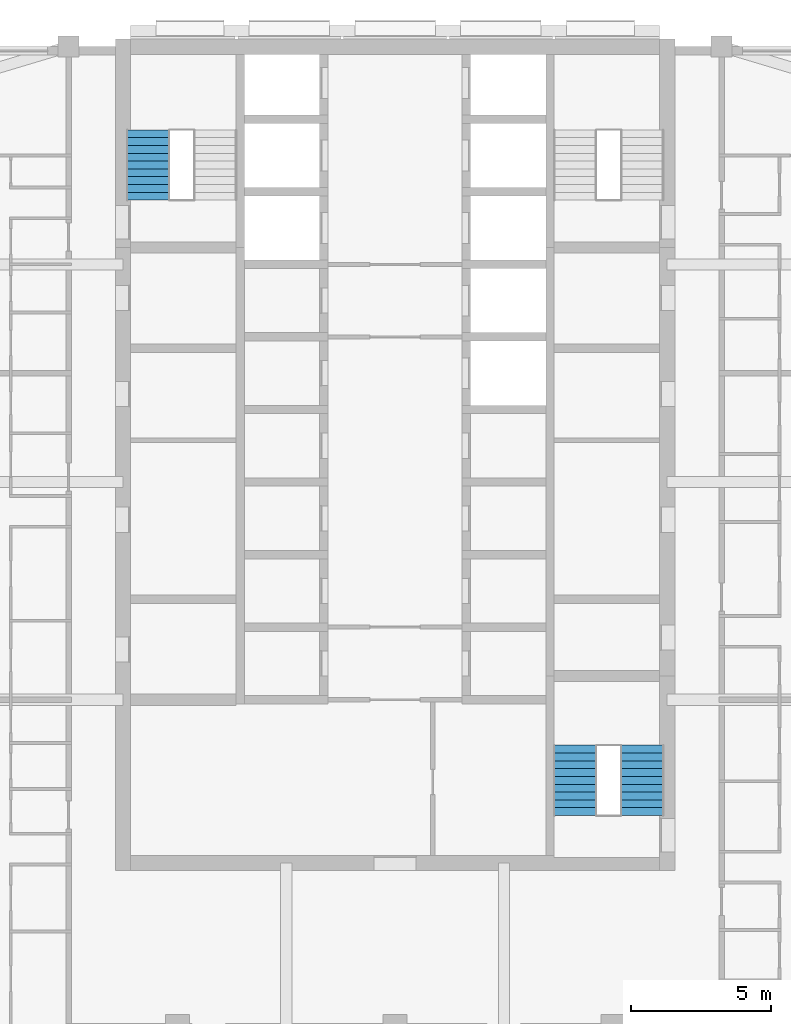
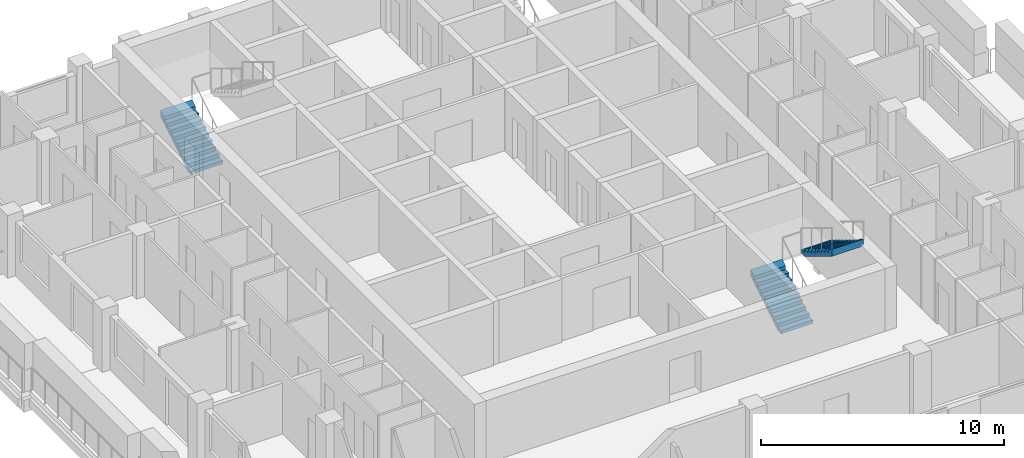
# One storey, part 10 of 13: 3 stair flights, 2 elements without a shape of their own.
"""IFC4 building model written with IfcOpenShell, lengths in metres."""

from ifc_helpers import new_model, si_unit, direction, frame, origin, place, context, subcontext, project, spatial, triangles, material, type_object, element, aggregate, save


model = new_model("IFC4")

# Units and contexts
model_context = context("Model", 3, precision=1e-05, world=origin(), true_north=direction((0.0, 1.0)))
body_context = subcontext(model_context, "Body", "Model", "MODEL_VIEW")
ifc_project = project(units=[si_unit("LENGTHUNIT", "METRE"), si_unit("AREAUNIT", "SQUARE_METRE"), si_unit("VOLUMEUNIT", "CUBIC_METRE"), si_unit("PLANEANGLEUNIT", "RADIAN"), si_unit("MASSUNIT", "GRAM", prefix="KILO")], contexts=[model_context])

# Site, building, storey
site_placement = place(None, origin())
site = spatial("IfcSite", under=ifc_project, at=site_placement, CompositionType="ELEMENT")
building_placement = place(site_placement, origin())
building = spatial("IfcBuilding", under=site, at=building_placement, Name="Ludao Terraces", CompositionType="ELEMENT")
storey_placement = place(building_placement, frame((0.0, 0.0, 162.199951171875)))
storey = spatial("IfcBuildingStorey", under=building, at=storey_placement, Name="L44", CompositionType="ELEMENT", Elevation=162.199951171875)

# Stair, stair flight
ifc_material = material(Name="Concrete C40", Category="concrete")
stair_type = type_object("IfcStairType", Name="INT Stair", PredefinedType="HALF_TURN_STAIR", material=ifc_material)
stair_1_placement = place(storey_placement, origin())
stair_1 = element("IfcStair", 1, at=stair_1_placement, inside=storey, type_object=stair_type, Name="EXIT STAIR 1", PredefinedType="HALF_TURN_STAIR")
stair_flight_type = type_object("IfcStairFlightType", Name="INT Stair flight", PredefinedType="STRAIGHT", material=ifc_material)
stair_flight_1_placement = place(storey_placement, frame((76.14990234375, 79.0, 0.0), z_axis=(0.0, 0.0, 1.0), x_axis=(0.0, 1.0, 0.0)))
stair_flight_1 = element("IfcStairFlight", 2, at=stair_flight_1_placement, type_object=stair_flight_type, Name="ST1 flight 1", NumberOfRisers=10, NumberOfTreads=9, PredefinedType="STRAIGHT", RiserHeight=0.17, TreadLength=0.28, context=body_context, shape_type="Tessellation", body=[
    triangles([(0.0, -0.75, 0.0), (0.0, -0.5, 0.0), (0.0, -0.25, 0.0), (0.0, 0.0, 0.0), (0.0, 0.25, 0.0), (0.0, 0.5, 0.0), (0.0, 0.75, 0.0), (0.0, -0.75, 0.169921875), (0.0, -0.5, 0.169921875), (0.0, -0.25, 0.169921875), (0.0, 0.0, 0.169921875), (0.0, 0.25, 0.169921875), (0.0, 0.5, 0.169921875), (0.0, 0.75, 0.169921875), (0.280029296875, -0.75, 0.169921875), (0.280029296875, -0.5, 0.169921875), (0.280029296875, -0.25, 0.169921875), (0.280029296875, 0.0, 0.169921875), (0.280029296875, 0.25, 0.169921875), (0.280029296875, 0.5, 0.169921875), (0.280029296875, 0.75, 0.169921875), (0.280029296875, -0.75, 0.340087890625), (0.280029296875, -0.5, 0.340087890625), (0.280029296875, -0.25, 0.340087890625), (0.280029296875, 0.0, 0.340087890625), (0.280029296875, 0.25, 0.340087890625), (0.280029296875, 0.5, 0.340087890625), (0.280029296875, 0.75, 0.340087890625), (0.56005859375, -0.75, 0.340087890625), (0.56005859375, -0.5, 0.340087890625), (0.56005859375, -0.25, 0.340087890625), (0.56005859375, 0.0, 0.340087890625), (0.56005859375, 0.25, 0.340087890625), (0.56005859375, 0.5, 0.340087890625), (0.56005859375, 0.75, 0.340087890625), (0.56005859375, -0.75, 0.510009765625), (0.56005859375, -0.5, 0.510009765625), (0.56005859375, -0.25, 0.510009765625), (0.56005859375, 0.0, 0.510009765625), (0.56005859375, 0.25, 0.510009765625), (0.56005859375, 0.5, 0.510009765625), (0.56005859375, 0.75, 0.510009765625), (0.840087890625, -0.75, 0.510009765625), (0.840087890625, -0.5, 0.510009765625), (0.840087890625, -0.25, 0.510009765625), (0.840087890625, 0.0, 0.510009765625), (0.840087890625, 0.25, 0.510009765625), (0.840087890625, 0.5, 0.510009765625), (0.840087890625, 0.75, 0.510009765625), (0.840087890625, -0.75, 0.679931640625), (0.840087890625, -0.5, 0.679931640625), (0.840087890625, -0.25, 0.679931640625), (0.840087890625, 0.0, 0.679931640625), (0.840087890625, 0.25, 0.679931640625), (0.840087890625, 0.5, 0.679931640625), (0.840087890625, 0.75, 0.679931640625), (1.1201171875, -0.75, 0.679931640625), (1.1201171875, -0.5, 0.679931640625), (1.1201171875, -0.25, 0.679931640625), (1.1201171875, 0.0, 0.679931640625), (1.1201171875, 0.25, 0.679931640625), (1.1201171875, 0.5, 0.679931640625), (1.1201171875, 0.75, 0.679931640625), (1.1201171875, -0.75, 0.85009765625), (1.1201171875, -0.5, 0.85009765625), (1.1201171875, -0.25, 0.85009765625), (1.1201171875, 0.0, 0.85009765625), (1.1201171875, 0.25, 0.85009765625), (1.1201171875, 0.5, 0.85009765625), (1.1201171875, 0.75, 0.85009765625), (1.39990234375, -0.75, 0.85009765625), (1.39990234375, -0.5, 0.85009765625), (1.39990234375, -0.25, 0.85009765625), (1.39990234375, 0.0, 0.85009765625), (1.39990234375, 0.25, 0.85009765625), (1.39990234375, 0.5, 0.85009765625), (1.39990234375, 0.75, 0.85009765625), (1.39990234375, -0.75, 1.02001953125), (1.39990234375, -0.5, 1.02001953125), (1.39990234375, -0.25, 1.02001953125), (1.39990234375, 0.0, 1.02001953125), (1.39990234375, 0.25, 1.02001953125), (1.39990234375, 0.5, 1.02001953125), (1.39990234375, 0.75, 1.02001953125), (1.679931640625, -0.75, 1.02001953125), (1.679931640625, -0.5, 1.02001953125), (1.679931640625, -0.25, 1.02001953125), (1.679931640625, 0.0, 1.02001953125), (1.679931640625, 0.25, 1.02001953125), (1.679931640625, 0.5, 1.02001953125), (1.679931640625, 0.75, 1.02001953125), (1.679931640625, -0.75, 1.18994140625), (1.679931640625, -0.5, 1.18994140625), (1.679931640625, -0.25, 1.18994140625), (1.679931640625, 0.0, 1.18994140625), (1.679931640625, 0.25, 1.18994140625), (1.679931640625, 0.5, 1.18994140625), (1.679931640625, 0.75, 1.18994140625), (1.9599609375, -0.75, 1.18994140625), (1.9599609375, -0.5, 1.18994140625), (1.9599609375, -0.25, 1.18994140625), (1.9599609375, 0.0, 1.18994140625), (1.9599609375, 0.25, 1.18994140625), (1.9599609375, 0.5, 1.18994140625), (1.9599609375, 0.75, 1.18994140625), (1.9599609375, -0.75, 1.360107421875), (1.9599609375, -0.5, 1.360107421875), (1.9599609375, -0.25, 1.360107421875), (1.9599609375, 0.0, 1.360107421875), (1.9599609375, 0.25, 1.360107421875), (1.9599609375, 0.5, 1.360107421875), (1.9599609375, 0.75, 1.360107421875), (2.239990234375, -0.75, 1.360107421875), (2.239990234375, -0.5, 1.360107421875), (2.239990234375, -0.25, 1.360107421875), (2.239990234375, 0.0, 1.360107421875), (2.239990234375, 0.25, 1.360107421875), (2.239990234375, 0.5, 1.360107421875), (2.239990234375, 0.75, 1.360107421875), (2.239990234375, -0.75, 1.530029296875), (2.239990234375, -0.5, 1.530029296875), (2.239990234375, -0.25, 1.530029296875), (2.239990234375, 0.0, 1.530029296875), (2.239990234375, 0.25, 1.530029296875), (2.239990234375, 0.5, 1.530029296875), (2.239990234375, 0.75, 1.530029296875), (2.52001953125, -0.75, 1.699951171875), (2.52001953125, -0.5, 1.699951171875), (2.52001953125, -0.25, 1.699951171875), (2.52001953125, 0.0, 1.699951171875), (2.52001953125, 0.25, 1.699951171875), (2.52001953125, 0.5, 1.699951171875), (2.52001953125, 0.75, 1.699951171875), (2.52001953125, -0.75, 1.354736328125), (2.52001953125, -0.5, 1.354736328125), (2.52001953125, -0.25, 1.354736328125), (2.52001953125, 0.0, 1.354736328125), (2.52001953125, 0.25, 1.354736328125), (2.52001953125, 0.5, 1.354736328125), (2.52001953125, 0.75, 1.354736328125), (0.288818359375, -0.75, 0.0), (0.288818359375, -0.5, 0.0), (0.288818359375, -0.25, 0.0), (0.288818359375, 0.0, 0.0), (0.288818359375, 0.25, 0.0), (0.288818359375, 0.5, 0.0), (0.288818359375, 0.75, 0.0)], [[1, 141, 134], [7, 140, 147], [134, 127, 120], [140, 126, 133], [134, 120, 113], [140, 119, 126], [134, 113, 106], [140, 112, 119], [134, 106, 99], [140, 105, 112], [99, 92, 85], [105, 91, 98], [134, 99, 85], [140, 91, 105], [85, 78, 71], [91, 77, 84], [134, 85, 71], [140, 77, 91], [71, 64, 57], [77, 63, 70], [134, 71, 57], [140, 63, 77], [57, 50, 43], [63, 49, 56], [134, 57, 43], [140, 49, 63], [43, 36, 29], [49, 35, 42], [134, 43, 29], [140, 35, 49], [29, 22, 15], [35, 21, 28], [134, 29, 15], [140, 21, 35], [1, 134, 15], [7, 21, 140], [15, 8, 1], [21, 7, 14], [1, 9, 2], [1, 8, 9], [2, 10, 3], [2, 9, 10], [3, 11, 4], [3, 10, 11], [4, 12, 5], [4, 11, 12], [5, 13, 6], [5, 12, 13], [6, 14, 7], [6, 13, 14], [8, 16, 9], [8, 15, 16], [9, 17, 10], [9, 16, 17], [10, 18, 11], [10, 17, 18], [11, 19, 12], [11, 18, 19], [12, 20, 13], [12, 19, 20], [13, 21, 14], [13, 20, 21], [15, 23, 16], [15, 22, 23], [16, 24, 17], [16, 23, 24], [17, 25, 18], [17, 24, 25], [18, 26, 19], [18, 25, 26], [19, 27, 20], [19, 26, 27], [20, 28, 21], [20, 27, 28], [22, 30, 23], [22, 29, 30], [23, 31, 24], [23, 30, 31], [24, 32, 25], [24, 31, 32], [25, 33, 26], [25, 32, 33], [26, 34, 27], [26, 33, 34], [27, 35, 28], [27, 34, 35], [29, 37, 30], [29, 36, 37], [30, 38, 31], [30, 37, 38], [31, 39, 32], [31, 38, 39], [32, 40, 33], [32, 39, 40], [33, 41, 34], [33, 40, 41], [34, 42, 35], [34, 41, 42], [36, 44, 37], [36, 43, 44], [37, 45, 38], [37, 44, 45], [38, 46, 39], [38, 45, 46], [39, 47, 40], [39, 46, 47], [40, 48, 41], [40, 47, 48], [41, 49, 42], [41, 48, 49], [43, 51, 44], [43, 50, 51], [44, 52, 45], [44, 51, 52], [45, 53, 46], [45, 52, 53], [46, 54, 47], [46, 53, 54], [47, 55, 48], [47, 54, 55], [48, 56, 49], [48, 55, 56], [50, 58, 51], [50, 57, 58], [51, 59, 52], [51, 58, 59], [52, 60, 53], [52, 59, 60], [53, 61, 54], [53, 60, 61], [54, 62, 55], [54, 61, 62], [55, 63, 56], [55, 62, 63], [57, 65, 58], [57, 64, 65], [58, 66, 59], [58, 65, 66], [59, 67, 60], [59, 66, 67], [60, 68, 61], [60, 67, 68], [61, 69, 62], [61, 68, 69], [62, 70, 63], [62, 69, 70], [64, 72, 65], [64, 71, 72], [65, 73, 66], [65, 72, 73], [66, 74, 67], [66, 73, 74], [67, 75, 68], [67, 74, 75], [68, 76, 69], [68, 75, 76], [69, 77, 70], [69, 76, 77], [71, 79, 72], [71, 78, 79], [72, 80, 73], [72, 79, 80], [73, 81, 74], [73, 80, 81], [74, 82, 75], [74, 81, 82], [75, 83, 76], [75, 82, 83], [76, 84, 77], [76, 83, 84], [78, 86, 79], [78, 85, 86], [79, 87, 80], [79, 86, 87], [80, 88, 81], [80, 87, 88], [81, 89, 82], [81, 88, 89], [82, 90, 83], [82, 89, 90], [83, 91, 84], [83, 90, 91], [85, 93, 86], [85, 92, 93], [86, 94, 87], [86, 93, 94], [87, 95, 88], [87, 94, 95], [88, 96, 89], [88, 95, 96], [89, 97, 90], [89, 96, 97], [90, 98, 91], [90, 97, 98], [92, 100, 93], [92, 99, 100], [93, 101, 94], [93, 100, 101], [94, 102, 95], [94, 101, 102], [95, 103, 96], [95, 102, 103], [96, 104, 97], [96, 103, 104], [97, 105, 98], [97, 104, 105], [99, 107, 100], [99, 106, 107], [100, 108, 101], [100, 107, 108], [101, 109, 102], [101, 108, 109], [102, 110, 103], [102, 109, 110], [103, 111, 104], [103, 110, 111], [104, 112, 105], [104, 111, 112], [106, 114, 107], [106, 113, 114], [107, 115, 108], [107, 114, 115], [108, 116, 109], [108, 115, 116], [109, 117, 110], [109, 116, 117], [110, 118, 111], [110, 117, 118], [111, 119, 112], [111, 118, 119], [113, 121, 114], [113, 120, 121], [114, 122, 115], [114, 121, 122], [115, 123, 116], [115, 122, 123], [116, 124, 117], [116, 123, 124], [117, 125, 118], [117, 124, 125], [118, 126, 119], [118, 125, 126], [120, 128, 121], [120, 127, 128], [121, 129, 122], [121, 128, 129], [122, 130, 123], [122, 129, 130], [123, 131, 124], [123, 130, 131], [124, 132, 125], [124, 131, 132], [125, 133, 126], [125, 132, 133], [127, 135, 128], [127, 134, 135], [128, 136, 129], [128, 135, 136], [129, 137, 130], [129, 136, 137], [130, 138, 131], [130, 137, 138], [131, 139, 132], [131, 138, 139], [132, 140, 133], [132, 139, 140], [134, 142, 135], [134, 141, 142], [135, 143, 136], [135, 142, 143], [136, 144, 137], [136, 143, 144], [137, 145, 138], [137, 144, 145], [138, 146, 139], [138, 145, 146], [139, 147, 140], [139, 146, 147], [141, 2, 142], [141, 1, 2], [142, 3, 143], [142, 2, 3], [143, 4, 144], [143, 3, 4], [144, 5, 145], [144, 4, 5], [145, 6, 146], [145, 5, 6], [146, 7, 147], [146, 6, 7]], closed=True),
])
aggregate(stair_1, [stair_flight_1])

# Stair, stair flights
stair_2_placement = place(storey_placement, origin())
stair_2 = element("IfcStair", 3, at=stair_2_placement, inside=storey, type_object=stair_type, Name="EXIT STAIR 3", PredefinedType="HALF_TURN_STAIR")
stair_flight_2_placement = place(storey_placement, frame((91.449951171875, 56.949951171875, 0.0), z_axis=(0.0, 0.0, 1.0), x_axis=(0.0, 1.0, 0.0)))
stair_flight_2 = element("IfcStairFlight", 4, at=stair_flight_2_placement, type_object=stair_flight_type, Name="ST3 flight 1", NumberOfRisers=10, NumberOfTreads=9, PredefinedType="STRAIGHT", RiserHeight=0.17, TreadLength=0.28, context=body_context, shape_type="Tessellation", body=[
    triangles([(0.0, -0.75, 0.0), (0.0, -0.5, 0.0), (0.0, -0.25, 0.0), (0.0, 0.0, 0.0), (0.0, 0.25, 0.0), (0.0, 0.5, 0.0), (0.0, 0.75, 0.0), (0.0, -0.75, 0.169921875), (0.0, -0.5, 0.169921875), (0.0, -0.25, 0.169921875), (0.0, 0.0, 0.169921875), (0.0, 0.25, 0.169921875), (0.0, 0.5, 0.169921875), (0.0, 0.75, 0.169921875), (0.280029296875, -0.75, 0.169921875), (0.280029296875, -0.5, 0.169921875), (0.280029296875, -0.25, 0.169921875), (0.280029296875, 0.0, 0.169921875), (0.280029296875, 0.25, 0.169921875), (0.280029296875, 0.5, 0.169921875), (0.280029296875, 0.75, 0.169921875), (0.280029296875, -0.75, 0.340087890625), (0.280029296875, -0.5, 0.340087890625), (0.280029296875, -0.25, 0.340087890625), (0.280029296875, 0.0, 0.340087890625), (0.280029296875, 0.25, 0.340087890625), (0.280029296875, 0.5, 0.340087890625), (0.280029296875, 0.75, 0.340087890625), (0.56005859375, -0.75, 0.340087890625), (0.56005859375, -0.5, 0.340087890625), (0.56005859375, -0.25, 0.340087890625), (0.56005859375, 0.0, 0.340087890625), (0.56005859375, 0.25, 0.340087890625), (0.56005859375, 0.5, 0.340087890625), (0.56005859375, 0.75, 0.340087890625), (0.56005859375, -0.75, 0.510009765625), (0.56005859375, -0.5, 0.510009765625), (0.56005859375, -0.25, 0.510009765625), (0.56005859375, 0.0, 0.510009765625), (0.56005859375, 0.25, 0.510009765625), (0.56005859375, 0.5, 0.510009765625), (0.56005859375, 0.75, 0.510009765625), (0.840087890625, -0.75, 0.510009765625), (0.840087890625, -0.5, 0.510009765625), (0.840087890625, -0.25, 0.510009765625), (0.840087890625, 0.0, 0.510009765625), (0.840087890625, 0.25, 0.510009765625), (0.840087890625, 0.5, 0.510009765625), (0.840087890625, 0.75, 0.510009765625), (0.840087890625, -0.75, 0.679931640625), (0.840087890625, -0.5, 0.679931640625), (0.840087890625, -0.25, 0.679931640625), (0.840087890625, 0.0, 0.679931640625), (0.840087890625, 0.25, 0.679931640625), (0.840087890625, 0.5, 0.679931640625), (0.840087890625, 0.75, 0.679931640625), (1.1201171875, -0.75, 0.679931640625), (1.1201171875, -0.5, 0.679931640625), (1.1201171875, -0.25, 0.679931640625), (1.1201171875, 0.0, 0.679931640625), (1.1201171875, 0.25, 0.679931640625), (1.1201171875, 0.5, 0.679931640625), (1.1201171875, 0.75, 0.679931640625), (1.1201171875, -0.75, 0.85009765625), (1.1201171875, -0.5, 0.85009765625), (1.1201171875, -0.25, 0.85009765625), (1.1201171875, 0.0, 0.85009765625), (1.1201171875, 0.25, 0.85009765625), (1.1201171875, 0.5, 0.85009765625), (1.1201171875, 0.75, 0.85009765625), (1.39990234375, -0.75, 0.85009765625), (1.39990234375, -0.5, 0.85009765625), (1.39990234375, -0.25, 0.85009765625), (1.39990234375, 0.0, 0.85009765625), (1.39990234375, 0.25, 0.85009765625), (1.39990234375, 0.5, 0.85009765625), (1.39990234375, 0.75, 0.85009765625), (1.39990234375, -0.75, 1.02001953125), (1.39990234375, -0.5, 1.02001953125), (1.39990234375, -0.25, 1.02001953125), (1.39990234375, 0.0, 1.02001953125), (1.39990234375, 0.25, 1.02001953125), (1.39990234375, 0.5, 1.02001953125), (1.39990234375, 0.75, 1.02001953125), (1.679931640625, -0.75, 1.02001953125), (1.679931640625, -0.5, 1.02001953125), (1.679931640625, -0.25, 1.02001953125), (1.679931640625, 0.0, 1.02001953125), (1.679931640625, 0.25, 1.02001953125), (1.679931640625, 0.5, 1.02001953125), (1.679931640625, 0.75, 1.02001953125), (1.679931640625, -0.75, 1.18994140625), (1.679931640625, -0.5, 1.18994140625), (1.679931640625, -0.25, 1.18994140625), (1.679931640625, 0.0, 1.18994140625), (1.679931640625, 0.25, 1.18994140625), (1.679931640625, 0.5, 1.18994140625), (1.679931640625, 0.75, 1.18994140625), (1.9599609375, -0.75, 1.18994140625), (1.9599609375, -0.5, 1.18994140625), (1.9599609375, -0.25, 1.18994140625), (1.9599609375, 0.0, 1.18994140625), (1.9599609375, 0.25, 1.18994140625), (1.9599609375, 0.5, 1.18994140625), (1.9599609375, 0.75, 1.18994140625), (1.9599609375, -0.75, 1.360107421875), (1.9599609375, -0.5, 1.360107421875), (1.9599609375, -0.25, 1.360107421875), (1.9599609375, 0.0, 1.360107421875), (1.9599609375, 0.25, 1.360107421875), (1.9599609375, 0.5, 1.360107421875), (1.9599609375, 0.75, 1.360107421875), (2.239990234375, -0.75, 1.360107421875), (2.239990234375, -0.5, 1.360107421875), (2.239990234375, -0.25, 1.360107421875), (2.239990234375, 0.0, 1.360107421875), (2.239990234375, 0.25, 1.360107421875), (2.239990234375, 0.5, 1.360107421875), (2.239990234375, 0.75, 1.360107421875), (2.239990234375, -0.75, 1.530029296875), (2.239990234375, -0.5, 1.530029296875), (2.239990234375, -0.25, 1.530029296875), (2.239990234375, 0.0, 1.530029296875), (2.239990234375, 0.25, 1.530029296875), (2.239990234375, 0.5, 1.530029296875), (2.239990234375, 0.75, 1.530029296875), (2.52001953125, -0.75, 1.699951171875), (2.52001953125, -0.5, 1.699951171875), (2.52001953125, -0.25, 1.699951171875), (2.52001953125, 0.0, 1.699951171875), (2.52001953125, 0.25, 1.699951171875), (2.52001953125, 0.5, 1.699951171875), (2.52001953125, 0.75, 1.699951171875), (2.52001953125, -0.75, 1.354736328125), (2.52001953125, -0.5, 1.354736328125), (2.52001953125, -0.25, 1.354736328125), (2.52001953125, 0.0, 1.354736328125), (2.52001953125, 0.25, 1.354736328125), (2.52001953125, 0.5, 1.354736328125), (2.52001953125, 0.75, 1.354736328125), (0.288818359375, -0.75, 0.0), (0.288818359375, -0.5, 0.0), (0.288818359375, -0.25, 0.0), (0.288818359375, 0.0, 0.0), (0.288818359375, 0.25, 0.0), (0.288818359375, 0.5, 0.0), (0.288818359375, 0.75, 0.0)], [[1, 141, 134], [7, 140, 147], [134, 127, 120], [140, 126, 133], [134, 120, 113], [140, 119, 126], [134, 113, 106], [140, 112, 119], [134, 106, 99], [140, 105, 112], [99, 92, 85], [105, 91, 98], [134, 99, 85], [140, 91, 105], [85, 78, 71], [91, 77, 84], [134, 85, 71], [140, 77, 91], [71, 64, 57], [77, 63, 70], [134, 71, 57], [140, 63, 77], [57, 50, 43], [63, 49, 56], [134, 57, 43], [140, 49, 63], [43, 36, 29], [49, 35, 42], [134, 43, 29], [140, 35, 49], [29, 22, 15], [35, 21, 28], [134, 29, 15], [140, 21, 35], [1, 134, 15], [7, 21, 140], [15, 8, 1], [21, 7, 14], [1, 9, 2], [1, 8, 9], [2, 10, 3], [2, 9, 10], [3, 11, 4], [3, 10, 11], [4, 12, 5], [4, 11, 12], [5, 13, 6], [5, 12, 13], [6, 14, 7], [6, 13, 14], [8, 16, 9], [8, 15, 16], [9, 17, 10], [9, 16, 17], [10, 18, 11], [10, 17, 18], [11, 19, 12], [11, 18, 19], [12, 20, 13], [12, 19, 20], [13, 21, 14], [13, 20, 21], [15, 23, 16], [15, 22, 23], [16, 24, 17], [16, 23, 24], [17, 25, 18], [17, 24, 25], [18, 26, 19], [18, 25, 26], [19, 27, 20], [19, 26, 27], [20, 28, 21], [20, 27, 28], [22, 30, 23], [22, 29, 30], [23, 31, 24], [23, 30, 31], [24, 32, 25], [24, 31, 32], [25, 33, 26], [25, 32, 33], [26, 34, 27], [26, 33, 34], [27, 35, 28], [27, 34, 35], [29, 37, 30], [29, 36, 37], [30, 38, 31], [30, 37, 38], [31, 39, 32], [31, 38, 39], [32, 40, 33], [32, 39, 40], [33, 41, 34], [33, 40, 41], [34, 42, 35], [34, 41, 42], [36, 44, 37], [36, 43, 44], [37, 45, 38], [37, 44, 45], [38, 46, 39], [38, 45, 46], [39, 47, 40], [39, 46, 47], [40, 48, 41], [40, 47, 48], [41, 49, 42], [41, 48, 49], [43, 51, 44], [43, 50, 51], [44, 52, 45], [44, 51, 52], [45, 53, 46], [45, 52, 53], [46, 54, 47], [46, 53, 54], [47, 55, 48], [47, 54, 55], [48, 56, 49], [48, 55, 56], [50, 58, 51], [50, 57, 58], [51, 59, 52], [51, 58, 59], [52, 60, 53], [52, 59, 60], [53, 61, 54], [53, 60, 61], [54, 62, 55], [54, 61, 62], [55, 63, 56], [55, 62, 63], [57, 65, 58], [57, 64, 65], [58, 66, 59], [58, 65, 66], [59, 67, 60], [59, 66, 67], [60, 68, 61], [60, 67, 68], [61, 69, 62], [61, 68, 69], [62, 70, 63], [62, 69, 70], [64, 72, 65], [64, 71, 72], [65, 73, 66], [65, 72, 73], [66, 74, 67], [66, 73, 74], [67, 75, 68], [67, 74, 75], [68, 76, 69], [68, 75, 76], [69, 77, 70], [69, 76, 77], [71, 79, 72], [71, 78, 79], [72, 80, 73], [72, 79, 80], [73, 81, 74], [73, 80, 81], [74, 82, 75], [74, 81, 82], [75, 83, 76], [75, 82, 83], [76, 84, 77], [76, 83, 84], [78, 86, 79], [78, 85, 86], [79, 87, 80], [79, 86, 87], [80, 88, 81], [80, 87, 88], [81, 89, 82], [81, 88, 89], [82, 90, 83], [82, 89, 90], [83, 91, 84], [83, 90, 91], [85, 93, 86], [85, 92, 93], [86, 94, 87], [86, 93, 94], [87, 95, 88], [87, 94, 95], [88, 96, 89], [88, 95, 96], [89, 97, 90], [89, 96, 97], [90, 98, 91], [90, 97, 98], [92, 100, 93], [92, 99, 100], [93, 101, 94], [93, 100, 101], [94, 102, 95], [94, 101, 102], [95, 103, 96], [95, 102, 103], [96, 104, 97], [96, 103, 104], [97, 105, 98], [97, 104, 105], [99, 107, 100], [99, 106, 107], [100, 108, 101], [100, 107, 108], [101, 109, 102], [101, 108, 109], [102, 110, 103], [102, 109, 110], [103, 111, 104], [103, 110, 111], [104, 112, 105], [104, 111, 112], [106, 114, 107], [106, 113, 114], [107, 115, 108], [107, 114, 115], [108, 116, 109], [108, 115, 116], [109, 117, 110], [109, 116, 117], [110, 118, 111], [110, 117, 118], [111, 119, 112], [111, 118, 119], [113, 121, 114], [113, 120, 121], [114, 122, 115], [114, 121, 122], [115, 123, 116], [115, 122, 123], [116, 124, 117], [116, 123, 124], [117, 125, 118], [117, 124, 125], [118, 126, 119], [118, 125, 126], [120, 128, 121], [120, 127, 128], [121, 129, 122], [121, 128, 129], [122, 130, 123], [122, 129, 130], [123, 131, 124], [123, 130, 131], [124, 132, 125], [124, 131, 132], [125, 133, 126], [125, 132, 133], [127, 135, 128], [127, 134, 135], [128, 136, 129], [128, 135, 136], [129, 137, 130], [129, 136, 137], [130, 138, 131], [130, 137, 138], [131, 139, 132], [131, 138, 139], [132, 140, 133], [132, 139, 140], [134, 142, 135], [134, 141, 142], [135, 143, 136], [135, 142, 143], [136, 144, 137], [136, 143, 144], [137, 145, 138], [137, 144, 145], [138, 146, 139], [138, 145, 146], [139, 147, 140], [139, 146, 147], [141, 2, 142], [141, 1, 2], [142, 3, 143], [142, 2, 3], [143, 4, 144], [143, 3, 4], [144, 5, 145], [144, 4, 5], [145, 6, 146], [145, 5, 6], [146, 7, 147], [146, 6, 7]], closed=True),
])
stair_flight_3_placement = place(storey_placement, frame((93.85009765625, 59.469970703125, 1.699951171875), z_axis=(0.0, 0.0, 1.0), x_axis=(0.0, -1.0, 0.0)))
stair_flight_3 = element("IfcStairFlight", 5, at=stair_flight_3_placement, type_object=stair_flight_type, Name="ST3 flight 2", NumberOfRisers=10, NumberOfTreads=9, PredefinedType="STRAIGHT", RiserHeight=0.17, TreadLength=0.28, context=body_context, shape_type="Tessellation", body=[
    triangles([(0.0, -0.75, 0.0), (0.0, -0.5, 0.0), (0.0, -0.25, 0.0), (0.0, 0.0, 0.0), (0.0, 0.25, 0.0), (0.0, 0.5, 0.0), (0.0, 0.75, 0.0), (0.0, -0.75, 0.169921875), (0.0, -0.5, 0.169921875), (0.0, -0.25, 0.169921875), (0.0, 0.0, 0.169921875), (0.0, 0.25, 0.169921875), (0.0, 0.5, 0.169921875), (0.0, 0.75, 0.169921875), (0.280029296875, -0.75, 0.169921875), (0.280029296875, -0.5, 0.169921875), (0.280029296875, -0.25, 0.169921875), (0.280029296875, 0.0, 0.169921875), (0.280029296875, 0.25, 0.169921875), (0.280029296875, 0.5, 0.169921875), (0.280029296875, 0.75, 0.169921875), (0.280029296875, -0.75, 0.340087890625), (0.280029296875, -0.5, 0.340087890625), (0.280029296875, -0.25, 0.340087890625), (0.280029296875, 0.0, 0.340087890625), (0.280029296875, 0.25, 0.340087890625), (0.280029296875, 0.5, 0.340087890625), (0.280029296875, 0.75, 0.340087890625), (0.56005859375, -0.75, 0.340087890625), (0.56005859375, -0.5, 0.340087890625), (0.56005859375, -0.25, 0.340087890625), (0.56005859375, 0.0, 0.340087890625), (0.56005859375, 0.25, 0.340087890625), (0.56005859375, 0.5, 0.340087890625), (0.56005859375, 0.75, 0.340087890625), (0.56005859375, -0.75, 0.510009765625), (0.56005859375, -0.5, 0.510009765625), (0.56005859375, -0.25, 0.510009765625), (0.56005859375, 0.0, 0.510009765625), (0.56005859375, 0.25, 0.510009765625), (0.56005859375, 0.5, 0.510009765625), (0.56005859375, 0.75, 0.510009765625), (0.840087890625, -0.75, 0.510009765625), (0.840087890625, -0.5, 0.510009765625), (0.840087890625, -0.25, 0.510009765625), (0.840087890625, 0.0, 0.510009765625), (0.840087890625, 0.25, 0.510009765625), (0.840087890625, 0.5, 0.510009765625), (0.840087890625, 0.75, 0.510009765625), (0.840087890625, -0.75, 0.679931640625), (0.840087890625, -0.5, 0.679931640625), (0.840087890625, -0.25, 0.679931640625), (0.840087890625, 0.0, 0.679931640625), (0.840087890625, 0.25, 0.679931640625), (0.840087890625, 0.5, 0.679931640625), (0.840087890625, 0.75, 0.679931640625), (1.1201171875, -0.75, 0.679931640625), (1.1201171875, -0.5, 0.679931640625), (1.1201171875, -0.25, 0.679931640625), (1.1201171875, 0.0, 0.679931640625), (1.1201171875, 0.25, 0.679931640625), (1.1201171875, 0.5, 0.679931640625), (1.1201171875, 0.75, 0.679931640625), (1.1201171875, -0.75, 0.85009765625), (1.1201171875, -0.5, 0.85009765625), (1.1201171875, -0.25, 0.85009765625), (1.1201171875, 0.0, 0.85009765625), (1.1201171875, 0.25, 0.85009765625), (1.1201171875, 0.5, 0.85009765625), (1.1201171875, 0.75, 0.85009765625), (1.39990234375, -0.75, 0.85009765625), (1.39990234375, -0.5, 0.85009765625), (1.39990234375, -0.25, 0.85009765625), (1.39990234375, 0.0, 0.85009765625), (1.39990234375, 0.25, 0.85009765625), (1.39990234375, 0.5, 0.85009765625), (1.39990234375, 0.75, 0.85009765625), (1.39990234375, -0.75, 1.02001953125), (1.39990234375, -0.5, 1.02001953125), (1.39990234375, -0.25, 1.02001953125), (1.39990234375, 0.0, 1.02001953125), (1.39990234375, 0.25, 1.02001953125), (1.39990234375, 0.5, 1.02001953125), (1.39990234375, 0.75, 1.02001953125), (1.679931640625, -0.75, 1.02001953125), (1.679931640625, -0.5, 1.02001953125), (1.679931640625, -0.25, 1.02001953125), (1.679931640625, 0.0, 1.02001953125), (1.679931640625, 0.25, 1.02001953125), (1.679931640625, 0.5, 1.02001953125), (1.679931640625, 0.75, 1.02001953125), (1.679931640625, -0.75, 1.18994140625), (1.679931640625, -0.5, 1.18994140625), (1.679931640625, -0.25, 1.18994140625), (1.679931640625, 0.0, 1.18994140625), (1.679931640625, 0.25, 1.18994140625), (1.679931640625, 0.5, 1.18994140625), (1.679931640625, 0.75, 1.18994140625), (1.9599609375, -0.75, 1.18994140625), (1.9599609375, -0.5, 1.18994140625), (1.9599609375, -0.25, 1.18994140625), (1.9599609375, 0.0, 1.18994140625), (1.9599609375, 0.25, 1.18994140625), (1.9599609375, 0.5, 1.18994140625), (1.9599609375, 0.75, 1.18994140625), (1.9599609375, -0.75, 1.360107421875), (1.9599609375, -0.5, 1.360107421875), (1.9599609375, -0.25, 1.360107421875), (1.9599609375, 0.0, 1.360107421875), (1.9599609375, 0.25, 1.360107421875), (1.9599609375, 0.5, 1.360107421875), (1.9599609375, 0.75, 1.360107421875), (2.239990234375, -0.75, 1.360107421875), (2.239990234375, -0.5, 1.360107421875), (2.239990234375, -0.25, 1.360107421875), (2.239990234375, 0.0, 1.360107421875), (2.239990234375, 0.25, 1.360107421875), (2.239990234375, 0.5, 1.360107421875), (2.239990234375, 0.75, 1.360107421875), (2.239990234375, -0.75, 1.530029296875), (2.239990234375, -0.5, 1.530029296875), (2.239990234375, -0.25, 1.530029296875), (2.239990234375, 0.0, 1.530029296875), (2.239990234375, 0.25, 1.530029296875), (2.239990234375, 0.5, 1.530029296875), (2.239990234375, 0.75, 1.530029296875), (2.52001953125, -0.75, 1.699951171875), (2.52001953125, -0.5, 1.699951171875), (2.52001953125, -0.25, 1.699951171875), (2.52001953125, 0.0, 1.699951171875), (2.52001953125, 0.25, 1.699951171875), (2.52001953125, 0.5, 1.699951171875), (2.52001953125, 0.75, 1.699951171875), (2.52001953125, -0.75, 1.354736328125), (2.52001953125, -0.5, 1.354736328125), (2.52001953125, -0.25, 1.354736328125), (2.52001953125, 0.0, 1.354736328125), (2.52001953125, 0.25, 1.354736328125), (2.52001953125, 0.5, 1.354736328125), (2.52001953125, 0.75, 1.354736328125), (0.288818359375, -0.75, 0.0), (0.288818359375, -0.5, 0.0), (0.288818359375, -0.25, 0.0), (0.288818359375, 0.0, 0.0), (0.288818359375, 0.25, 0.0), (0.288818359375, 0.5, 0.0), (0.288818359375, 0.75, 0.0)], [[1, 141, 134], [7, 140, 147], [134, 127, 120], [140, 126, 133], [134, 120, 113], [140, 119, 126], [134, 113, 106], [140, 112, 119], [134, 106, 99], [140, 105, 112], [99, 92, 85], [105, 91, 98], [134, 99, 85], [140, 91, 105], [85, 78, 71], [91, 77, 84], [134, 85, 71], [140, 77, 91], [71, 64, 57], [77, 63, 70], [134, 71, 57], [140, 63, 77], [57, 50, 43], [63, 49, 56], [134, 57, 43], [140, 49, 63], [43, 36, 29], [49, 35, 42], [134, 43, 29], [140, 35, 49], [29, 22, 15], [35, 21, 28], [134, 29, 15], [140, 21, 35], [1, 134, 15], [7, 21, 140], [15, 8, 1], [21, 7, 14], [1, 9, 2], [1, 8, 9], [2, 10, 3], [2, 9, 10], [3, 11, 4], [3, 10, 11], [4, 12, 5], [4, 11, 12], [5, 13, 6], [5, 12, 13], [6, 14, 7], [6, 13, 14], [8, 16, 9], [8, 15, 16], [9, 17, 10], [9, 16, 17], [10, 18, 11], [10, 17, 18], [11, 19, 12], [11, 18, 19], [12, 20, 13], [12, 19, 20], [13, 21, 14], [13, 20, 21], [15, 23, 16], [15, 22, 23], [16, 24, 17], [16, 23, 24], [17, 25, 18], [17, 24, 25], [18, 26, 19], [18, 25, 26], [19, 27, 20], [19, 26, 27], [20, 28, 21], [20, 27, 28], [22, 30, 23], [22, 29, 30], [23, 31, 24], [23, 30, 31], [24, 32, 25], [24, 31, 32], [25, 33, 26], [25, 32, 33], [26, 34, 27], [26, 33, 34], [27, 35, 28], [27, 34, 35], [29, 37, 30], [29, 36, 37], [30, 38, 31], [30, 37, 38], [31, 39, 32], [31, 38, 39], [32, 40, 33], [32, 39, 40], [33, 41, 34], [33, 40, 41], [34, 42, 35], [34, 41, 42], [36, 44, 37], [36, 43, 44], [37, 45, 38], [37, 44, 45], [38, 46, 39], [38, 45, 46], [39, 47, 40], [39, 46, 47], [40, 48, 41], [40, 47, 48], [41, 49, 42], [41, 48, 49], [43, 51, 44], [43, 50, 51], [44, 52, 45], [44, 51, 52], [45, 53, 46], [45, 52, 53], [46, 54, 47], [46, 53, 54], [47, 55, 48], [47, 54, 55], [48, 56, 49], [48, 55, 56], [50, 58, 51], [50, 57, 58], [51, 59, 52], [51, 58, 59], [52, 60, 53], [52, 59, 60], [53, 61, 54], [53, 60, 61], [54, 62, 55], [54, 61, 62], [55, 63, 56], [55, 62, 63], [57, 65, 58], [57, 64, 65], [58, 66, 59], [58, 65, 66], [59, 67, 60], [59, 66, 67], [60, 68, 61], [60, 67, 68], [61, 69, 62], [61, 68, 69], [62, 70, 63], [62, 69, 70], [64, 72, 65], [64, 71, 72], [65, 73, 66], [65, 72, 73], [66, 74, 67], [66, 73, 74], [67, 75, 68], [67, 74, 75], [68, 76, 69], [68, 75, 76], [69, 77, 70], [69, 76, 77], [71, 79, 72], [71, 78, 79], [72, 80, 73], [72, 79, 80], [73, 81, 74], [73, 80, 81], [74, 82, 75], [74, 81, 82], [75, 83, 76], [75, 82, 83], [76, 84, 77], [76, 83, 84], [78, 86, 79], [78, 85, 86], [79, 87, 80], [79, 86, 87], [80, 88, 81], [80, 87, 88], [81, 89, 82], [81, 88, 89], [82, 90, 83], [82, 89, 90], [83, 91, 84], [83, 90, 91], [85, 93, 86], [85, 92, 93], [86, 94, 87], [86, 93, 94], [87, 95, 88], [87, 94, 95], [88, 96, 89], [88, 95, 96], [89, 97, 90], [89, 96, 97], [90, 98, 91], [90, 97, 98], [92, 100, 93], [92, 99, 100], [93, 101, 94], [93, 100, 101], [94, 102, 95], [94, 101, 102], [95, 103, 96], [95, 102, 103], [96, 104, 97], [96, 103, 104], [97, 105, 98], [97, 104, 105], [99, 107, 100], [99, 106, 107], [100, 108, 101], [100, 107, 108], [101, 109, 102], [101, 108, 109], [102, 110, 103], [102, 109, 110], [103, 111, 104], [103, 110, 111], [104, 112, 105], [104, 111, 112], [106, 114, 107], [106, 113, 114], [107, 115, 108], [107, 114, 115], [108, 116, 109], [108, 115, 116], [109, 117, 110], [109, 116, 117], [110, 118, 111], [110, 117, 118], [111, 119, 112], [111, 118, 119], [113, 121, 114], [113, 120, 121], [114, 122, 115], [114, 121, 122], [115, 123, 116], [115, 122, 123], [116, 124, 117], [116, 123, 124], [117, 125, 118], [117, 124, 125], [118, 126, 119], [118, 125, 126], [120, 128, 121], [120, 127, 128], [121, 129, 122], [121, 128, 129], [122, 130, 123], [122, 129, 130], [123, 131, 124], [123, 130, 131], [124, 132, 125], [124, 131, 132], [125, 133, 126], [125, 132, 133], [127, 135, 128], [127, 134, 135], [128, 136, 129], [128, 135, 136], [129, 137, 130], [129, 136, 137], [130, 138, 131], [130, 137, 138], [131, 139, 132], [131, 138, 139], [132, 140, 133], [132, 139, 140], [134, 142, 135], [134, 141, 142], [135, 143, 136], [135, 142, 143], [136, 144, 137], [136, 143, 144], [137, 145, 138], [137, 144, 145], [138, 146, 139], [138, 145, 146], [139, 147, 140], [139, 146, 147], [141, 2, 142], [141, 1, 2], [142, 3, 143], [142, 2, 3], [143, 4, 144], [143, 3, 4], [144, 5, 145], [144, 4, 5], [145, 6, 146], [145, 5, 6], [146, 7, 147], [146, 6, 7]], closed=True),
])
aggregate(stair_2, [stair_flight_2, stair_flight_3])

save(model, "model.ifc")
